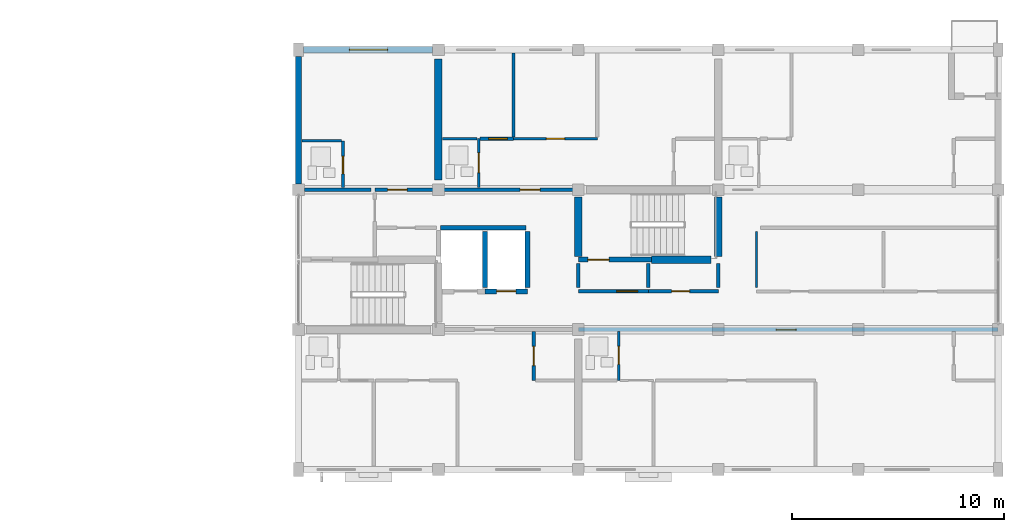
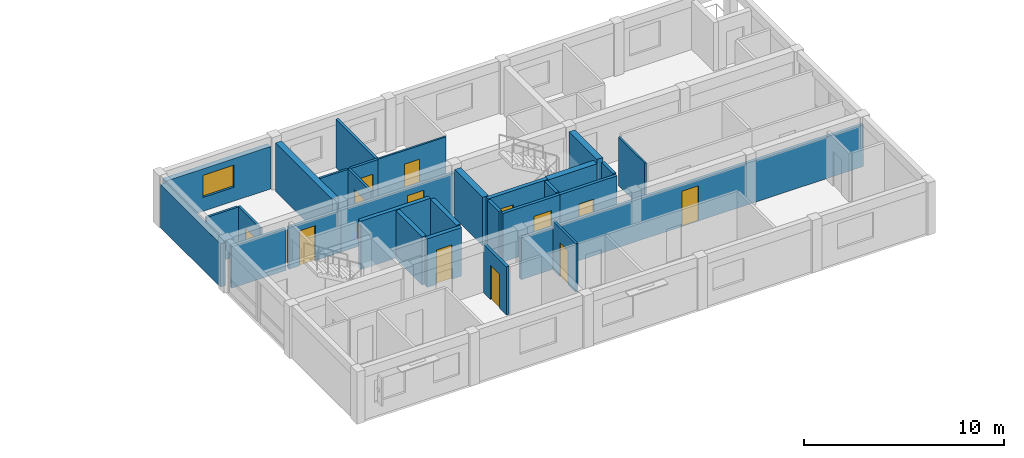
# One storey, part 37 of 52: 30 walls, 13 doors, 1 window, 14 openings.
"""IFC4 building model written with IfcOpenShell, lengths in metres."""

from ifc_helpers import new_model, si_unit, direction, frame, frame_2d, origin, place, context, subcontext, project, spatial, rectangle, extrude, material, layer, layer_set, type_object, element, fill, save


model = new_model("IFC4")

# Units and contexts
model_context = context("Model", 3, precision=1e-05, world=origin(), true_north=direction((0.0, 1.0)))
body_context = subcontext(model_context, "Body", "Model", "MODEL_VIEW")
ifc_project = project(units=[si_unit("LENGTHUNIT", "METRE"), si_unit("AREAUNIT", "SQUARE_METRE"), si_unit("VOLUMEUNIT", "CUBIC_METRE"), si_unit("PLANEANGLEUNIT", "RADIAN"), si_unit("MASSUNIT", "GRAM", prefix="KILO")], contexts=[model_context])

# Site, building, storey
site_placement = place(None, origin())
site = spatial("IfcSite", under=ifc_project, at=site_placement, CompositionType="ELEMENT")
building_placement = place(site_placement, origin())
building = spatial("IfcBuilding", under=site, at=building_placement, Name="Kernevlak Ridge Housing Community", CompositionType="ELEMENT")
storey_placement = place(building_placement, frame((0.0, 0.0, 11.60009765625)))
storey = spatial("IfcBuildingStorey", under=building, at=storey_placement, Name="L03", CompositionType="ELEMENT", Elevation=11.60009765625)

# Wall, opening, window
ifc_material_1 = material(Name="Concrete block masonry M10", Category="masonry")
ifc_layer_1 = layer(ifc_material_1, 0.300048828125, Name="Concrete block masonry M10")
ifc_layer_set_1 = layer_set([ifc_layer_1], Name="Concrete block masonry M10")
wall_type_1 = type_object("IfcWallType", Name="EW-01", PredefinedType="STANDARD", material=ifc_layer_set_1)
wall_1_placement = place(storey_placement, frame((119.625, 102.39990234375, 0.0), z_axis=(0.0, 0.0, 1.0), x_axis=(1.0, 0.0, 0.0)))
wall_1 = element("IfcWall", 1, at=wall_1_placement, inside=storey, type_object=wall_type_1, Name="Exterior wall EW-01 L03 344", PredefinedType="STANDARD", context=body_context, shape_type="SweptSolid", body=[
    extrude(rectangle(XDim=6.10009765625, YDim=0.300048828125, at=frame_2d((3.050048828125, 0.0))), origin(), (0.0, 0.0, 1.0), 2.599853515625),
])
opening_1_placement = place(wall_1_placement, frame((2.175048828125, 0.0, 0.85009765625)))
opening_1 = element("IfcOpeningElement", 2, at=opening_1_placement, cuts=wall_1, Name="Opening WT-03", PredefinedType="OPENING", context=body_context, shape_type="SweptSolid", body=[
    extrude(rectangle(XDim=1.800048828125, YDim=1.35009765625, at=frame_2d((0.89990234375, 0.675048828125))), frame((0.0, 0.159912109375, 0.0), z_axis=(0.0, -1.0, 0.0), x_axis=(1.0, 0.0, 0.0)), (0.0, 0.0, 1.0), 0.320068359375),
])
ifc_material_2 = material(Name="Aluminium EN AW-6060 anodised and laminated glass", Category="aluminium")
window_type = type_object("IfcWindowType", Name="WT-03", PartitioningType="SINGLE_PANEL", PredefinedType="WINDOW", material=ifc_material_2)
window_placement = place(opening_1_placement, origin())
window = element("IfcWindow", 3, at=window_placement, inside=storey, type_object=window_type, Name="Window WT-03 L03 265", OverallHeight=1.35009765625, OverallWidth=1.800048828125, PartitioningType="SINGLE_PANEL", PredefinedType="WINDOW", context=body_context, shape_type="SweptSolid", body=[
    extrude(rectangle(XDim=1.800048828125, YDim=1.35009765625, at=frame_2d((0.89990234375, 0.675048828125))), frame((0.0, 0.030029296875, 0.0), z_axis=(0.0, -1.0, 0.0), x_axis=(1.0, 0.0, 0.0)), (0.0, 0.0, 1.0), 0.06005859375),
])
fill(opening_1, window)

# Wall
wall_2_placement = place(storey_placement, frame((119.39990234375, 96.074951171875, 0.0), z_axis=(0.0, 0.0, 1.0), x_axis=(0.0, 1.0, 0.0)))
element("IfcWall", 4, at=wall_2_placement, inside=storey, type_object=wall_type_1, Name="Exterior wall EW-01 L03 352", PredefinedType="STANDARD", context=body_context, shape_type="SweptSolid", body=[
    extrude(rectangle(XDim=6.0, YDim=0.300048828125, at=frame_2d((3.0, 0.0))), origin(), (0.0, 0.0, 1.0), 2.64990234375),
])

# Wall, opening, door
ifc_material_3 = material(Name="Concrete C35/45", Category="concrete")
ifc_layer_2 = layer(ifc_material_3, 0.22509765625, Name="Concrete C35/45")
ifc_layer_set_2 = layer_set([ifc_layer_2], Name="Concrete C35/45")
wall_type_2 = type_object("IfcWallType", Name="PW-01", PredefinedType="STANDARD", material=ifc_layer_set_2)
wall_3_placement = place(storey_placement, frame((128.199951171875, 91.0, 0.0), z_axis=(0.0, 0.0, 1.0), x_axis=(1.0, 0.0, 0.0)))
wall_3 = element("IfcWall", 5, at=wall_3_placement, inside=storey, type_object=wall_type_2, Name="Interior wall PW-01 WAL-INT-L03-1331", PredefinedType="STANDARD", context=body_context, shape_type="SweptSolid", body=[
    extrude(rectangle(XDim=2.0, YDim=0.22509765625, at=frame_2d((1.0, 0.0))), origin(), (0.0, 0.0, 1.0), 2.9599609375),
])
opening_2_placement = place(wall_3_placement, frame((0.550048828125, 0.0, 0.0)))
opening_2 = element("IfcOpeningElement", 6, at=opening_2_placement, cuts=wall_3, Name="Opening LD37", PredefinedType="OPENING", context=body_context, shape_type="SweptSolid", body=[
    extrude(rectangle(XDim=0.89990234375, YDim=2.10009765625, at=frame_2d((0.449951171875, 1.050048828125))), frame((0.0, 0.12255859375, 0.0), z_axis=(0.0, -1.0, 0.0), x_axis=(1.0, 0.0, 0.0)), (0.0, 0.0, 1.0), 0.2451171875),
])
ifc_material_4 = material(Name="Stainless steel EN 1.4401", Category="steel")
door_type_1 = type_object("IfcDoorType", Name="DT-LD2", OperationType="DOUBLE_DOOR_SLIDING", PredefinedType="DOOR", material=ifc_material_4)
door_1_placement = place(opening_2_placement, origin())
door_1 = element("IfcDoor", 7, at=door_1_placement, inside=storey, type_object=door_type_1, Name="Lift LF-B2 landing door LD37", OperationType="DOUBLE_DOOR_SLIDING", OverallHeight=2.10009765625, OverallWidth=0.89990234375, PredefinedType="DOOR", context=body_context, shape_type="SweptSolid", body=[
    extrude(rectangle(XDim=0.89990234375, YDim=2.10009765625, at=frame_2d((0.449951171875, 1.050048828125))), frame((0.0, 0.02490234375, 0.0), z_axis=(0.0, -1.0, 0.0), x_axis=(1.0, 0.0, 0.0)), (0.0, 0.0, 1.0), 0.050048828125),
])
fill(opening_2, door_1)

# Walls
wall_4_placement = place(storey_placement, frame((126.097412109375, 94.0, 0.0), z_axis=(0.0, 0.0, 1.0), x_axis=(1.0, 0.0, 0.0)))
element("IfcWall", 8, at=wall_4_placement, inside=storey, type_object=wall_type_2, Name="Interior wall PW-01 WAL-INT-L03-1332", PredefinedType="STANDARD", context=body_context, shape_type="SweptSolid", body=[
    extrude(rectangle(XDim=4.022705078125, YDim=0.22509765625, at=frame_2d((2.01123046875, 0.0))), origin(), (0.0, 0.0, 1.0), 2.9599609375),
])
for number, where, z_axis, x_axis, name in (
    (9, (128.199951171875, 91.179931640625, 0.0), (0.0, 0.0, 1.0), (0.0, 1.0, 0.0), "Interior wall PW-01 WAL-INT-L03-1334"),
    (10, (130.199951171875, 91.179931640625, 0.0), (0.0, 0.0, 1.0), (0.0, 1.0, 0.0), "Interior wall PW-01 WAL-INT-L03-1335"),
):
    element("IfcWall", number, at=place(storey_placement, frame(where, z_axis=z_axis, x_axis=x_axis)), inside=storey, type_object=wall_type_2, Name=name, PredefinedType="STANDARD", context=body_context, shape_type="SweptSolid", body=[
        extrude(rectangle(XDim=2.64013671875, YDim=0.22509765625, at=frame_2d((1.320068359375, 0.0))), origin(), (0.0, 0.0, 1.0), 2.9599609375),
    ])

# Wall, opening, door
wall_5_placement = place(storey_placement, frame((132.60009765625, 92.5, 0.0), z_axis=(0.0, 0.0, 1.0), x_axis=(1.0, 0.0, 0.0)))
wall_5 = element("IfcWall", 11, at=wall_5_placement, inside=storey, type_object=wall_type_2, Name="Interior wall PW-01 WAL-INT-L03-1336", PredefinedType="STANDARD", context=body_context, shape_type="SweptSolid", body=[
    extrude(rectangle(XDim=3.449951171875, YDim=0.22509765625, at=frame_2d((1.72509765625, 0.0))), origin(), (0.0, 0.0, 1.0), 2.9599609375),
])
opening_3_placement = place(wall_5_placement, frame((0.449951171875, 0.0, 0.0)))
opening_3 = element("IfcOpeningElement", 12, at=opening_3_placement, cuts=wall_5, Name="Opening D675", PredefinedType="OPENING", context=body_context, shape_type="SweptSolid", body=[
    extrude(rectangle(XDim=1.0, YDim=2.10009765625, at=frame_2d((0.5, 1.050048828125))), frame((0.0, 0.12255859375, 0.0), z_axis=(0.0, -1.0, 0.0), x_axis=(1.0, 0.0, 0.0)), (0.0, 0.0, 1.0), 0.2451171875),
])
ifc_material_5 = material(Name="Fire-rated sheet steel leaf", Category="steel")
door_type_2 = type_object("IfcDoorType", Name="DT-05", OperationType="NOTDEFINED", PredefinedType="DOOR", material=ifc_material_5)
door_2_placement = place(opening_3_placement, origin())
door_2 = element("IfcDoor", 13, at=door_2_placement, inside=storey, type_object=door_type_2, Name="Block B Stair 2 fire door D675", OperationType="SINGLE_SWING_LEFT", OverallHeight=2.10009765625, OverallWidth=1.0, PredefinedType="DOOR", context=body_context, shape_type="SweptSolid", body=[
    extrude(rectangle(XDim=1.0, YDim=2.10009765625, at=frame_2d((0.5, 1.050048828125))), frame((0.0, 0.02490234375, 0.0), z_axis=(0.0, -1.0, 0.0), x_axis=(1.0, 0.0, 0.0)), (0.0, 0.0, 1.0), 0.050048828125),
])
fill(opening_3, door_2)

ifc_layer_3 = layer(ifc_material_1, 0.175048828125, Name="Concrete block masonry M10")
ifc_layer_set_3 = layer_set([ifc_layer_3], Name="Concrete block masonry M10")
wall_type_3 = type_object("IfcWallType", Name="PW-02", PredefinedType="PARTITIONING", material=ifc_layer_set_3)
wall_6_placement = place(storey_placement, frame((132.60009765625, 91.0, 0.0), z_axis=(0.0, 0.0, 1.0), x_axis=(1.0, 0.0, 0.0)))
wall_6 = element("IfcWall", 14, at=wall_6_placement, inside=storey, type_object=wall_type_3, Name="Interior wall PW-02 WAL-INT-L03-1337", PredefinedType="PARTITIONING", context=body_context, shape_type="SweptSolid", body=[
    extrude(rectangle(XDim=3.2998046875, YDim=0.175048828125, at=frame_2d((1.64990234375, 0.0))), origin(), (0.0, 0.0, 1.0), 2.9599609375),
])
opening_4_placement = place(wall_6_placement, frame((1.800048828125, 0.0, 0.0)))
opening_4 = element("IfcOpeningElement", 15, at=opening_4_placement, cuts=wall_6, Name="Opening D676", PredefinedType="OPENING", context=body_context, shape_type="SweptSolid", body=[
    extrude(rectangle(XDim=1.0, YDim=2.159912109375, at=frame_2d((0.5, 1.080078125))), frame((0.0, 0.097412109375, 0.0), z_axis=(0.0, -1.0, 0.0), x_axis=(1.0, 0.0, 0.0)), (0.0, 0.0, 1.0), 0.195068359375),
])
door_type_3 = type_object("IfcDoorType", Name="DT-15", OperationType="NOTDEFINED", PredefinedType="DOOR", material=ifc_material_5)
door_3_placement = place(opening_4_placement, origin())
door_3 = element("IfcDoor", 16, at=door_3_placement, inside=storey, type_object=door_type_3, Name="Block B Firefighting lobby 2 door D676", OperationType="SINGLE_SWING_RIGHT", OverallHeight=2.159912109375, OverallWidth=1.0, PredefinedType="DOOR", context=body_context, shape_type="SweptSolid", body=[
    extrude(rectangle(XDim=1.0, YDim=2.159912109375, at=frame_2d((0.5, 1.080078125))), frame((0.0, 0.02490234375, 0.0), z_axis=(0.0, -1.0, 0.0), x_axis=(1.0, 0.0, 0.0)), (0.0, 0.0, 1.0), 0.050048828125),
])
fill(opening_4, door_3)

wall_7_placement = place(storey_placement, frame((135.89990234375, 91.0, 0.0), z_axis=(0.0, 0.0, 1.0), x_axis=(1.0, 0.0, 0.0)))
wall_7 = element("IfcWall", 17, at=wall_7_placement, inside=storey, type_object=wall_type_3, Name="Interior wall PW-02 WAL-INT-L03-1338", PredefinedType="PARTITIONING", context=body_context, shape_type="SweptSolid", body=[
    extrude(rectangle(XDim=3.300048828125, YDim=0.175048828125, at=frame_2d((1.64990234375, 0.0))), origin(), (0.0, 0.0, 1.0), 2.9599609375),
])
opening_5_placement = place(wall_7_placement, frame((1.10009765625, 0.0, 0.0)))
opening_5 = element("IfcOpeningElement", 18, at=opening_5_placement, cuts=wall_7, Name="Opening D677", PredefinedType="OPENING", context=body_context, shape_type="SweptSolid", body=[
    extrude(rectangle(XDim=0.85009765625, YDim=2.0, at=frame_2d((0.425048828125, 1.0))), frame((0.0, 0.097412109375, 0.0), z_axis=(0.0, -1.0, 0.0), x_axis=(1.0, 0.0, 0.0)), (0.0, 0.0, 1.0), 0.195068359375),
])
door_type_4 = type_object("IfcDoorType", Name="DT-07", OperationType="NOTDEFINED", PredefinedType="DOOR", material=ifc_material_5)
door_4_placement = place(opening_5_placement, origin())
door_4 = element("IfcDoor", 19, at=door_4_placement, inside=storey, type_object=door_type_4, Name="Block B Cleaner store door D677", OperationType="SINGLE_SWING_LEFT", OverallHeight=2.0, OverallWidth=0.85009765625, PredefinedType="DOOR", context=body_context, shape_type="SweptSolid", body=[
    extrude(rectangle(XDim=0.85009765625, YDim=2.0, at=frame_2d((0.425048828125, 1.0))), frame((0.0, 0.02490234375, 0.0), z_axis=(0.0, -1.0, 0.0), x_axis=(1.0, 0.0, 0.0)), (0.0, 0.0, 1.0), 0.050048828125),
])
fill(opening_5, door_4)

# Walls
for number, where, z_axis, x_axis, name in (
    (20, (132.60009765625, 91.179931640625, 0.0), (0.0, 0.0, 1.0), (0.0, 1.0, 0.0), "Interior wall PW-02 WAL-INT-L03-1339"),
    (21, (135.89990234375, 91.179931640625, 0.0), (0.0, 0.0, 1.0), (0.0, 1.0, 0.0), "Interior wall PW-02 WAL-INT-L03-1340"),
    (22, (139.199951171875, 91.179931640625, 0.0), (0.0, 0.0, 1.0), (0.0, 1.0, 0.0), "Interior wall PW-02 WAL-INT-L03-1341"),
):
    element("IfcWall", number, at=place(storey_placement, frame(where, z_axis=z_axis, x_axis=x_axis)), inside=storey, type_object=wall_type_3, Name=name, PredefinedType="PARTITIONING", context=body_context, shape_type="SweptSolid", body=[
        extrude(rectangle(XDim=1.14013671875, YDim=0.175048828125, at=frame_2d((0.570068359375, 0.0))), origin(), (0.0, 0.0, 1.0), 2.9599609375),
    ])

# Wall, opening, door
wall_8_placement = place(storey_placement, frame((132.60009765625, 89.199951171875, 0.0), z_axis=(0.0, 0.0, 1.0), x_axis=(1.0, 0.0, 0.0)))
wall_8 = element("IfcWall", 23, at=wall_8_placement, inside=storey, type_object=wall_type_3, Name="Interior wall PW-02 WAL-INT-L03-1356", PredefinedType="PARTITIONING", context=body_context, shape_type="SweptSolid", body=[
    extrude(rectangle(XDim=19.7998046875, YDim=0.175048828125, at=frame_2d((9.89990234375, 0.0))), origin(), (0.0, 0.0, 1.0), 2.5498046875),
])
opening_6_placement = place(wall_8_placement, frame((9.324951171875, 0.0, 0.0)))
opening_6 = element("IfcOpeningElement", 24, at=opening_6_placement, cuts=wall_8, Name="Opening D685", PredefinedType="OPENING", context=body_context, shape_type="SweptSolid", body=[
    extrude(rectangle(XDim=0.949951171875, YDim=2.159912109375, at=frame_2d((0.47509765625, 1.080078125))), frame((0.0, 0.097412109375, 0.0), z_axis=(0.0, -1.0, 0.0), x_axis=(1.0, 0.0, 0.0)), (0.0, 0.0, 1.0), 0.195068359375),
])
ifc_material_6 = material(Name="Hardwood timber solid-core fire leaf", Category="wood")
door_type_5 = type_object("IfcDoorType", Name="DT-02", OperationType="NOTDEFINED", PredefinedType="DOOR", material=ifc_material_6)
door_5_placement = place(opening_6_placement, origin())
door_5 = element("IfcDoor", 25, at=door_5_placement, inside=storey, type_object=door_type_5, Name="Flat B0312 entrance fire door D685", OperationType="SINGLE_SWING_LEFT", OverallHeight=2.159912109375, OverallWidth=0.949951171875, PredefinedType="DOOR", context=body_context, shape_type="SweptSolid", body=[
    extrude(rectangle(XDim=0.949951171875, YDim=2.159912109375, at=frame_2d((0.47509765625, 1.080078125))), frame((0.0, 0.02490234375, 0.0), z_axis=(0.0, -1.0, 0.0), x_axis=(1.0, 0.0, 0.0)), (0.0, 0.0, 1.0), 0.050048828125),
])
fill(opening_6, door_5)

# Wall
wall_9_placement = place(storey_placement, frame((119.679931640625, 95.800048828125, 0.0), z_axis=(0.0, 0.0, 1.0), x_axis=(1.0, 0.0, 0.0)))
element("IfcWall", 26, at=wall_9_placement, inside=storey, type_object=wall_type_3, Name="Interior wall PW-02 WAL-INT-L03-1365", PredefinedType="PARTITIONING", context=body_context, shape_type="SweptSolid", body=[
    extrude(rectangle(XDim=3.14013671875, YDim=0.175048828125, at=frame_2d((1.570068359375, 0.0))), origin(), (0.0, 0.0, 1.0), 2.5498046875),
])

# Wall, opening, door
wall_10_placement = place(storey_placement, frame((123.0, 95.800048828125, 0.0), z_axis=(0.0, 0.0, 1.0), x_axis=(1.0, 0.0, 0.0)))
wall_10 = element("IfcWall", 27, at=wall_10_placement, inside=storey, type_object=wall_type_3, Name="Interior wall PW-02 WAL-INT-L03-1366", PredefinedType="PARTITIONING", context=body_context, shape_type="SweptSolid", body=[
    extrude(rectangle(XDim=3.0, YDim=0.175048828125, at=frame_2d((1.5, 0.0))), origin(), (0.0, 0.0, 1.0), 2.5498046875),
])
opening_7_placement = place(wall_10_placement, frame((0.60009765625, 0.0, 0.0)))
opening_7 = element("IfcOpeningElement", 28, at=opening_7_placement, cuts=wall_10, Name="Opening D690", PredefinedType="OPENING", context=body_context, shape_type="SweptSolid", body=[
    extrude(rectangle(XDim=0.919921875, YDim=2.139892578125, at=frame_2d((0.4599609375, 1.06982421875))), frame((0.0, 0.097412109375, 0.0), z_axis=(0.0, -1.0, 0.0), x_axis=(1.0, 0.0, 0.0)), (0.0, 0.0, 1.0), 0.195068359375),
])
door_type_6 = type_object("IfcDoorType", Name="DT-20", OperationType="NOTDEFINED", PredefinedType="DOOR", material=ifc_material_6)
door_6_placement = place(opening_7_placement, origin())
door_6 = element("IfcDoor", 29, at=door_6_placement, inside=storey, type_object=door_type_6, Name="Flat B0321 entrance fire door D690", OperationType="SINGLE_SWING_RIGHT", OverallHeight=2.139892578125, OverallWidth=0.919921875, PredefinedType="DOOR", context=body_context, shape_type="SweptSolid", body=[
    extrude(rectangle(XDim=0.919921875, YDim=2.139892578125, at=frame_2d((0.4599609375, 1.06982421875))), frame((0.0, 0.02490234375, 0.0), z_axis=(0.0, -1.0, 0.0), x_axis=(1.0, 0.0, 0.0)), (0.0, 0.0, 1.0), 0.050048828125),
])
fill(opening_7, door_6)

wall_11_placement = place(storey_placement, frame((126.0, 95.800048828125, 0.0), z_axis=(0.0, 0.0, 1.0), x_axis=(1.0, 0.0, 0.0)))
wall_11 = element("IfcWall", 30, at=wall_11_placement, inside=storey, type_object=wall_type_3, Name="Interior wall PW-02 WAL-INT-L03-1369", PredefinedType="PARTITIONING", context=body_context, shape_type="SweptSolid", body=[
    extrude(rectangle(XDim=6.60009765625, YDim=0.175048828125, at=frame_2d((3.300048828125, 0.0))), origin(), (0.0, 0.0, 1.0), 2.5498046875),
])
opening_8_placement = place(wall_11_placement, frame((3.85009765625, 0.0, 0.0)))
opening_8 = element("IfcOpeningElement", 31, at=opening_8_placement, cuts=wall_11, Name="Opening D692", PredefinedType="OPENING", context=body_context, shape_type="SweptSolid", body=[
    extrude(rectangle(XDim=0.949951171875, YDim=2.10009765625, at=frame_2d((0.47509765625, 1.050048828125))), frame((0.0, 0.097412109375, 0.0), z_axis=(0.0, -1.0, 0.0), x_axis=(1.0, 0.0, 0.0)), (0.0, 0.0, 1.0), 0.195068359375),
])
door_type_7 = type_object("IfcDoorType", Name="DT-01", OperationType="NOTDEFINED", PredefinedType="DOOR", material=ifc_material_6)
door_7_placement = place(opening_8_placement, origin())
door_7 = element("IfcDoor", 32, at=door_7_placement, inside=storey, type_object=door_type_7, Name="Flat B0322 entrance fire door D692", OperationType="SINGLE_SWING_RIGHT", OverallHeight=2.10009765625, OverallWidth=0.949951171875, PredefinedType="DOOR", context=body_context, shape_type="SweptSolid", body=[
    extrude(rectangle(XDim=0.949951171875, YDim=2.10009765625, at=frame_2d((0.47509765625, 1.050048828125))), frame((0.0, 0.02490234375, 0.0), z_axis=(0.0, -1.0, 0.0), x_axis=(1.0, 0.0, 0.0)), (0.0, 0.0, 1.0), 0.050048828125),
])
fill(opening_8, door_7)

ifc_layer_4 = layer(ifc_material_1, 0.14501953125, Name="Concrete block masonry M10")
ifc_layer_set_4 = layer_set([ifc_layer_4], Name="Concrete block masonry M10")
wall_type_4 = type_object("IfcWallType", Name="PW-03", PredefinedType="PARTITIONING", material=ifc_layer_set_4)
wall_12_placement = place(storey_placement, frame((127.972412109375, 98.199951171875, 0.0), z_axis=(0.0, 0.0, 1.0), x_axis=(1.0, 0.0, 0.0)))
wall_12 = element("IfcWall", 33, at=wall_12_placement, inside=storey, type_object=wall_type_4, Name="Interior wall PW-03 WAL-INT-L03-1374", PredefinedType="PARTITIONING", context=body_context, shape_type="SweptSolid", body=[
    extrude(rectangle(XDim=1.57763671875, YDim=0.14501953125, at=frame_2d((0.788818359375, 0.0))), origin(), (0.0, 0.0, 1.0), 2.9599609375),
])
opening_9_placement = place(wall_12_placement, frame((0.39990234375, 0.0, 0.0)))
opening_9 = element("IfcOpeningElement", 34, at=opening_9_placement, cuts=wall_12, Name="Opening D695", PredefinedType="OPENING", context=body_context, shape_type="SweptSolid", body=[
    extrude(rectangle(XDim=0.8798828125, YDim=2.159912109375, at=frame_2d((0.43994140625, 1.080078125))), frame((0.0, 0.08251953125, 0.0), z_axis=(0.0, -1.0, 0.0), x_axis=(1.0, 0.0, 0.0)), (0.0, 0.0, 1.0), 0.1650390625),
])
ifc_material_7 = material(Name="Hardwood timber leaf", Category="wood")
door_type_8 = type_object("IfcDoorType", Name="DT-26", OperationType="NOTDEFINED", PredefinedType="DOOR", material=ifc_material_7)
door_8_placement = place(opening_9_placement, origin())
door_8 = element("IfcDoor", 35, at=door_8_placement, inside=storey, type_object=door_type_8, Name="Flat B0322 bedroom door D695", OperationType="SINGLE_SWING_LEFT", OverallHeight=2.159912109375, OverallWidth=0.8798828125, PredefinedType="DOOR", context=body_context, shape_type="SweptSolid", body=[
    extrude(rectangle(XDim=0.8798828125, YDim=2.159912109375, at=frame_2d((0.43994140625, 1.080078125))), frame((0.0, 0.02490234375, 0.0), z_axis=(0.0, -1.0, 0.0), x_axis=(1.0, 0.0, 0.0)), (0.0, 0.0, 1.0), 0.050048828125),
])
fill(opening_9, door_8)

# Wall
wall_13_placement = place(storey_placement, frame((129.550048828125, 98.282470703125, 0.0), z_axis=(0.0, 0.0, 1.0), x_axis=(0.0, 1.0, 0.0)))
element("IfcWall", 36, at=wall_13_placement, inside=storey, type_object=wall_type_4, Name="Interior wall PW-03 WAL-INT-L03-1375", PredefinedType="PARTITIONING", context=body_context, shape_type="SweptSolid", body=[
    extrude(rectangle(XDim=3.95751953125, YDim=0.14501953125, at=frame_2d((1.978759765625, 0.0))), origin(), (0.0, 0.0, 1.0), 2.9599609375),
])

# Wall, opening, door
ifc_material_8 = material(Name="Gypsum plasterboard EN 520", Category="gypsum")
ifc_layer_5 = layer(ifc_material_8, 0.125, Name="Gypsum plasterboard EN 520")
ifc_layer_set_5 = layer_set([ifc_layer_5], Name="Gypsum plasterboard EN 520")
wall_type_5 = type_object("IfcWallType", Name="PW-04", PredefinedType="PARTITIONING", material=ifc_layer_set_5)
wall_14_placement = place(storey_placement, frame((134.5, 89.1025390625, 0.0), z_axis=(0.0, 0.0, 1.0), x_axis=(0.0, -1.0, 0.0)))
wall_14 = element("IfcWall", 37, at=wall_14_placement, inside=storey, type_object=wall_type_5, Name="Interior wall PW-04 WAL-INT-L03-1357", PredefinedType="PARTITIONING", context=body_context, shape_type="SweptSolid", body=[
    extrude(rectangle(XDim=2.302490234375, YDim=0.125, at=frame_2d((1.1513671875, 0.0))), origin(), (0.0, 0.0, 1.0), 2.9599609375),
])
opening_10_placement = place(wall_14_placement, frame((0.699951171875, 0.0, 0.0)))
opening_10 = element("IfcOpeningElement", 38, at=opening_10_placement, cuts=wall_14, Name="Opening D686", PredefinedType="OPENING", context=body_context, shape_type="SweptSolid", body=[
    extrude(rectangle(XDim=0.840087890625, YDim=2.06005859375, at=frame_2d((0.419921875, 1.030029296875))), frame((0.0, 0.072509765625, 0.0), z_axis=(0.0, -1.0, 0.0), x_axis=(1.0, 0.0, 0.0)), (0.0, 0.0, 1.0), 0.14501953125),
])
ifc_material_9 = material(Name="Hardwood timber moisture-resistant leaf", Category="wood")
door_type_9 = type_object("IfcDoorType", Name="DT-27", OperationType="NOTDEFINED", PredefinedType="DOOR", material=ifc_material_9)
door_9_placement = place(opening_10_placement, origin())
door_9 = element("IfcDoor", 39, at=door_9_placement, inside=storey, type_object=door_type_9, Name="Flat B0312 bathroom door D686", OperationType="SINGLE_SWING_RIGHT", OverallHeight=2.06005859375, OverallWidth=0.840087890625, PredefinedType="DOOR", context=body_context, shape_type="SweptSolid", body=[
    extrude(rectangle(XDim=0.840087890625, YDim=2.06005859375, at=frame_2d((0.419921875, 1.030029296875))), frame((0.0, 0.02490234375, 0.0), z_axis=(0.0, -1.0, 0.0), x_axis=(1.0, 0.0, 0.0)), (0.0, 0.0, 1.0), 0.050048828125),
])
fill(opening_10, door_9)

wall_15_placement = place(storey_placement, frame((121.5, 95.8974609375, 0.0), z_axis=(0.0, 0.0, 1.0), x_axis=(0.0, 1.0, 0.0)))
wall_15 = element("IfcWall", 40, at=wall_15_placement, inside=storey, type_object=wall_type_5, Name="Interior wall PW-04 WAL-INT-L03-1367", PredefinedType="PARTITIONING", context=body_context, shape_type="SweptSolid", body=[
    extrude(rectangle(XDim=2.20263671875, YDim=0.125, at=frame_2d((1.101318359375, 0.0))), origin(), (0.0, 0.0, 1.0), 2.9599609375),
])
opening_11_placement = place(wall_15_placement, frame((0.64990234375, 0.0, 0.0)))
opening_11 = element("IfcOpeningElement", 41, at=opening_11_placement, cuts=wall_15, Name="Opening D691", PredefinedType="OPENING", context=body_context, shape_type="SweptSolid", body=[
    extrude(rectangle(XDim=0.820068359375, YDim=2.050048828125, at=frame_2d((0.41015625, 1.02490234375))), frame((0.0, 0.072509765625, 0.0), z_axis=(0.0, -1.0, 0.0), x_axis=(1.0, 0.0, 0.0)), (0.0, 0.0, 1.0), 0.14501953125),
])
door_type_10 = type_object("IfcDoorType", Name="DT-30", OperationType="NOTDEFINED", PredefinedType="DOOR", material=ifc_material_9)
door_10_placement = place(opening_11_placement, origin())
door_10 = element("IfcDoor", 42, at=door_10_placement, inside=storey, type_object=door_type_10, Name="Flat B0321 bathroom door D691", OperationType="SINGLE_SWING_LEFT", OverallHeight=2.050048828125, OverallWidth=0.820068359375, PredefinedType="DOOR", context=body_context, shape_type="SweptSolid", body=[
    extrude(rectangle(XDim=0.820068359375, YDim=2.050048828125, at=frame_2d((0.41015625, 1.02490234375))), frame((0.0, 0.02490234375, 0.0), z_axis=(0.0, -1.0, 0.0), x_axis=(1.0, 0.0, 0.0)), (0.0, 0.0, 1.0), 0.050048828125),
])
fill(opening_11, door_10)

# Wall
wall_16_placement = place(storey_placement, frame((119.56005859375, 98.10009765625, 0.0), z_axis=(0.0, 0.0, 1.0), x_axis=(1.0, 0.0, 0.0)))
element("IfcWall", 43, at=wall_16_placement, inside=storey, type_object=wall_type_5, Name="Interior wall PW-04 WAL-INT-L03-1368", PredefinedType="PARTITIONING", context=body_context, shape_type="SweptSolid", body=[
    extrude(rectangle(XDim=1.85986328125, YDim=0.125, at=frame_2d((0.929931640625, 0.0))), origin(), (0.0, 0.0, 1.0), 2.9599609375),
])

# Wall, opening, door
wall_17_placement = place(storey_placement, frame((127.89990234375, 95.8974609375, 0.0), z_axis=(0.0, 0.0, 1.0), x_axis=(0.0, 1.0, 0.0)))
wall_17 = element("IfcWall", 44, at=wall_17_placement, inside=storey, type_object=wall_type_5, Name="Interior wall PW-04 WAL-INT-L03-1370", PredefinedType="PARTITIONING", context=body_context, shape_type="SweptSolid", body=[
    extrude(rectangle(XDim=2.302490234375, YDim=0.125, at=frame_2d((1.1513671875, 0.0))), origin(), (0.0, 0.0, 1.0), 2.9599609375),
])
opening_12_placement = place(wall_17_placement, frame((0.699951171875, 0.0, 0.0)))
opening_12 = element("IfcOpeningElement", 45, at=opening_12_placement, cuts=wall_17, Name="Opening D693", PredefinedType="OPENING", context=body_context, shape_type="SweptSolid", body=[
    extrude(rectangle(XDim=0.93994140625, YDim=2.080078125, at=frame_2d((0.469970703125, 1.0400390625))), frame((0.0, 0.072509765625, 0.0), z_axis=(0.0, -1.0, 0.0), x_axis=(1.0, 0.0, 0.0)), (0.0, 0.0, 1.0), 0.14501953125),
])
door_type_11 = type_object("IfcDoorType", Name="DT-23", OperationType="NOTDEFINED", PredefinedType="DOOR", material=ifc_material_9)
door_11_placement = place(opening_12_placement, origin())
door_11 = element("IfcDoor", 46, at=door_11_placement, inside=storey, type_object=door_type_11, Name="Flat B0322 bathroom door D693", OperationType="SINGLE_SWING_LEFT", OverallHeight=2.080078125, OverallWidth=0.93994140625, PredefinedType="DOOR", context=body_context, shape_type="SweptSolid", body=[
    extrude(rectangle(XDim=0.93994140625, YDim=2.080078125, at=frame_2d((0.469970703125, 1.0400390625))), frame((0.0, 0.02490234375, 0.0), z_axis=(0.0, -1.0, 0.0), x_axis=(1.0, 0.0, 0.0)), (0.0, 0.0, 1.0), 0.050048828125),
])
fill(opening_12, door_11)

# Wall
wall_18_placement = place(storey_placement, frame((126.18505859375, 98.199951171875, 0.0), z_axis=(0.0, 0.0, 1.0), x_axis=(1.0, 0.0, 0.0)))
element("IfcWall", 47, at=wall_18_placement, inside=storey, type_object=wall_type_5, Name="Interior wall PW-04 WAL-INT-L03-1371", PredefinedType="PARTITIONING", context=body_context, shape_type="SweptSolid", body=[
    extrude(rectangle(XDim=1.635009765625, YDim=0.125, at=frame_2d((0.8173828125, 0.0))), origin(), (0.0, 0.0, 1.0), 2.9599609375),
])

# Wall, opening, door
ifc_layer_6 = layer(ifc_material_8, 0.155029296875, Name="Gypsum plasterboard EN 520")
ifc_layer_set_6 = layer_set([ifc_layer_6], Name="Gypsum plasterboard EN 520")
wall_type_6 = type_object("IfcWallType", Name="PW-05", PredefinedType="PARTITIONING", material=ifc_layer_set_6)
wall_19_placement = place(storey_placement, frame((130.5, 89.1025390625, 0.0), z_axis=(0.0, 0.0, 1.0), x_axis=(0.0, -1.0, 0.0)))
wall_19 = element("IfcWall", 48, at=wall_19_placement, inside=storey, type_object=wall_type_6, Name="Interior wall PW-05 WAL-INT-L03-1350", PredefinedType="PARTITIONING", context=body_context, shape_type="SweptSolid", body=[
    extrude(rectangle(XDim=2.302490234375, YDim=0.155029296875, at=frame_2d((1.1513671875, 0.0))), origin(), (0.0, 0.0, 1.0), 2.9599609375),
])
opening_13_placement = place(wall_19_placement, frame((0.699951171875, 0.0, 0.0)))
opening_13 = element("IfcOpeningElement", 49, at=opening_13_placement, cuts=wall_19, Name="Opening D682", PredefinedType="OPENING", context=body_context, shape_type="SweptSolid", body=[
    extrude(rectangle(XDim=0.89990234375, YDim=2.10009765625, at=frame_2d((0.449951171875, 1.050048828125))), frame((0.0, 0.08740234375, 0.0), z_axis=(0.0, -1.0, 0.0), x_axis=(1.0, 0.0, 0.0)), (0.0, 0.0, 1.0), 0.175048828125),
])
door_type_12 = type_object("IfcDoorType", Name="DT-21", OperationType="NOTDEFINED", PredefinedType="DOOR", material=ifc_material_7)
door_12_placement = place(opening_13_placement, origin())
door_12 = element("IfcDoor", 50, at=door_12_placement, inside=storey, type_object=door_type_12, Name="Flat B0311 kitchen door D682", OperationType="SINGLE_SWING_RIGHT", OverallHeight=2.10009765625, OverallWidth=0.89990234375, PredefinedType="DOOR", context=body_context, shape_type="SweptSolid", body=[
    extrude(rectangle(XDim=0.89990234375, YDim=2.10009765625, at=frame_2d((0.449951171875, 1.050048828125))), frame((0.0, 0.02490234375, 0.0), z_axis=(0.0, -1.0, 0.0), x_axis=(1.0, 0.0, 0.0)), (0.0, 0.0, 1.0), 0.050048828125),
])
fill(opening_13, door_12)

# Wall
ifc_layer_7 = layer(ifc_material_8, 0.10498046875, Name="Gypsum plasterboard EN 520")
ifc_layer_set_7 = layer_set([ifc_layer_7], Name="Gypsum plasterboard EN 520")
wall_type_7 = type_object("IfcWallType", Name="PW-06", PredefinedType="PARTITIONING", material=ifc_layer_set_7)
wall_20_placement = place(storey_placement, frame((141.0, 91.179931640625, 0.0), z_axis=(0.0, 0.0, 1.0), x_axis=(0.0, 1.0, 0.0)))
element("IfcWall", 51, at=wall_20_placement, inside=storey, type_object=wall_type_7, Name="Interior wall PW-06 WAL-INT-L03-1346", PredefinedType="PARTITIONING", context=body_context, shape_type="SweptSolid", body=[
    extrude(rectangle(XDim=2.64013671875, YDim=0.10498046875, at=frame_2d((1.320068359375, 0.0))), origin(), (0.0, 0.0, 1.0), 2.9599609375),
])

# Wall, opening, door
wall_21_placement = place(storey_placement, frame((129.550048828125, 98.199951171875, 0.0), z_axis=(0.0, 0.0, 1.0), x_axis=(1.0, 0.0, 0.0)))
wall_21 = element("IfcWall", 52, at=wall_21_placement, inside=storey, type_object=wall_type_7, Name="Interior wall PW-06 WAL-INT-L03-1376", PredefinedType="PARTITIONING", context=body_context, shape_type="SweptSolid", body=[
    extrude(rectangle(XDim=3.94189453125, YDim=0.10498046875, at=frame_2d((1.970947265625, 0.0))), origin(), (0.0, 0.0, 1.0), 2.9599609375),
])
opening_14_placement = place(wall_21_placement, frame((1.5458984375, 0.0, 0.0)))
opening_14 = element("IfcOpeningElement", 53, at=opening_14_placement, cuts=wall_21, Name="Opening D696", PredefinedType="OPENING", context=body_context, shape_type="SweptSolid", body=[
    extrude(rectangle(XDim=0.860107421875, YDim=2.1201171875, at=frame_2d((0.43017578125, 1.06005859375))), frame((0.0, 0.0625, 0.0), z_axis=(0.0, -1.0, 0.0), x_axis=(1.0, 0.0, 0.0)), (0.0, 0.0, 1.0), 0.125),
])
door_type_13 = type_object("IfcDoorType", Name="DT-28", OperationType="NOTDEFINED", PredefinedType="DOOR", material=ifc_material_7)
door_13_placement = place(opening_14_placement, origin())
door_13 = element("IfcDoor", 54, at=door_13_placement, inside=storey, type_object=door_type_13, Name="Flat B0322 bedroom door D696", OperationType="SINGLE_SWING_RIGHT", OverallHeight=2.1201171875, OverallWidth=0.860107421875, PredefinedType="DOOR", context=body_context, shape_type="SweptSolid", body=[
    extrude(rectangle(XDim=0.860107421875, YDim=2.1201171875, at=frame_2d((0.43017578125, 1.06005859375))), frame((0.0, 0.02490234375, 0.0), z_axis=(0.0, -1.0, 0.0), x_axis=(1.0, 0.0, 0.0)), (0.0, 0.0, 1.0), 0.050048828125),
])
fill(opening_14, door_13)

# Walls
ifc_material_10 = material(Name="Concrete C40/50", Category="concrete")
ifc_layer_8 = layer(ifc_material_10, 0.35009765625, Name="Concrete C40/50")
ifc_layer_set_8 = layer_set([ifc_layer_8], Name="Concrete C40/50")
wall_type_8 = type_object("IfcWallType", Name="SW-01", PredefinedType="SHEAR", material=ifc_layer_set_8)
for number, where, z_axis, x_axis, name in (
    (55, (136.050048828125, 92.5, 0.0), (0.0, 0.0, 1.0), (1.0, 0.0, 0.0), "Shear wall SW-01 Block B L03 245"),
    (56, (132.60009765625, 92.64990234375, 0.0), (0.0, 0.0, 1.0), (0.0, 1.0, 0.0), "Shear wall SW-01 Block B L03 246"),
    (57, (139.199951171875, 92.64990234375, 0.0), (0.0, 0.0, 1.0), (0.0, 1.0, 0.0), "Shear wall SW-01 Block B L03 247"),
):
    element("IfcWall", number, at=place(storey_placement, frame(where, z_axis=z_axis, x_axis=x_axis)), inside=storey, type_object=wall_type_8, Name=name, PredefinedType="SHEAR", context=body_context, shape_type="SweptSolid", body=[
        extrude(rectangle(XDim=2.800048828125, YDim=0.35009765625, at=frame_2d((1.39990234375, 0.0))), origin(), (0.0, 0.0, 1.0), 2.9599609375),
    ])
wall_22_placement = place(storey_placement, frame((126.0, 96.25, 0.0), z_axis=(0.0, 0.0, 1.0), x_axis=(0.0, 1.0, 0.0)))
element("IfcWall", 58, at=wall_22_placement, inside=storey, type_object=wall_type_8, Name="Shear wall SW-01 Block B L03 249", PredefinedType="SHEAR", context=body_context, shape_type="SweptSolid", body=[
    extrude(rectangle(XDim=5.699951171875, YDim=0.35009765625, at=frame_2d((2.85009765625, 0.0))), origin(), (0.0, 0.0, 1.0), 2.9599609375),
])

save(model, "model.ifc")
